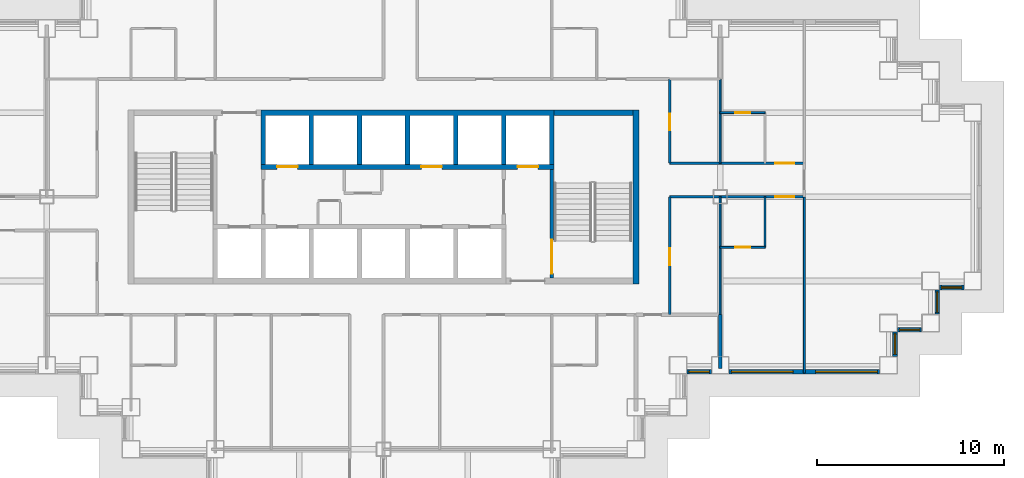
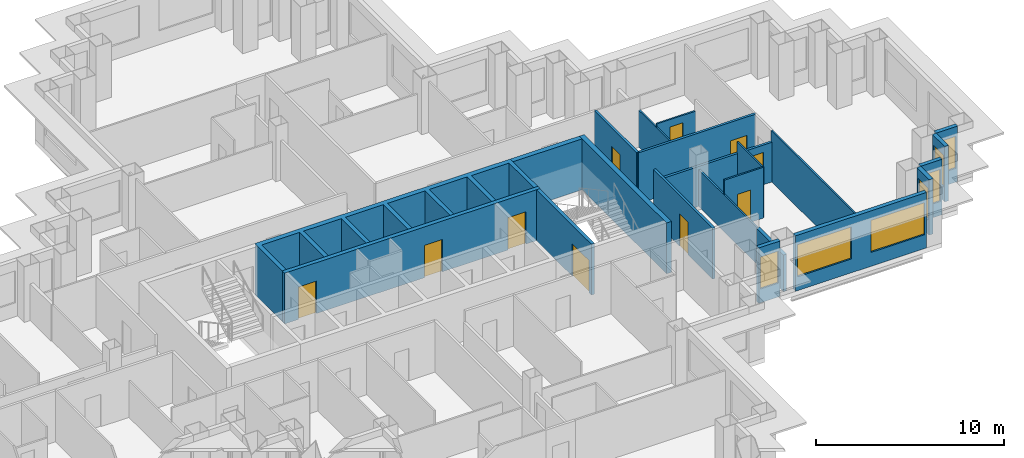
# One storey, part 6 of 14: 22 walls, 10 doors, 7 windows, 17 openings.
"""IFC4 building model written with IfcOpenShell, lengths in metres."""

import ifcopenshell
import ifcopenshell.guid

model = None  # the IFC model being written
_history = None  # IfcOwnerHistory: only IFC2X3 demands one
_inside = {}  # id of a spatial element -> (the spatial element, [elements in it])
_under = {}  # id of a project, library or spatial element -> (it, [spatial elements below it])
_declared = {}  # id of a project -> (the project, [libraries it declares])
_typed = {}  # id of a type object -> (the type object, [elements of that type])
_made_of = {}  # id of a material, layer set ... -> (it, [elements and type objects made of it])


def new_model(schema):
    """Start an empty IFC model of exactly this schema.

    Asked for "IFC4X3", IfcOpenShell would pick the latest addendum, in which some entities
    have other attributes; the version numbers below select the first issue.
    IFC2X3 requires an IfcOwnerHistory on every rooted entity: one is made here for all.
    """
    global model, _history
    if schema == "IFC4X3":
        model = ifcopenshell.file(schema_version=(4, 3, 0, 0))
    else:
        model = ifcopenshell.file(schema=schema)
    _inside.clear()
    _under.clear()
    _declared.clear()
    _typed.clear()
    _made_of.clear()
    _history = None
    if model.schema == "IFC2X3":
        org = make("IfcOrganization", Name="unknown")
        user = make(
            "IfcPersonAndOrganization",
            ThePerson=make("IfcPerson", FamilyName="unknown"),
            TheOrganization=org,
        )
        app = make(
            "IfcApplication",
            ApplicationDeveloper=org,
            Version="unknown",
            ApplicationFullName="unknown",
            ApplicationIdentifier="unknown",
        )
        _history = make(
            "IfcOwnerHistory",
            OwningUser=user,
            OwningApplication=app,
            ChangeAction="ADDED",
            CreationDate=0,
        )
    return model


def make(cls, **values):
    """One entity of the class cls with the attributes given. An attribute that is None is left unset."""
    return model.create_entity(
        cls, **{name: value for name, value in values.items() if value is not None}
    )


def rooted(cls, **values):
    """An entity with a GlobalId (a new one), such as an element, a storey or a relation."""
    return make(cls, GlobalId=ifcopenshell.guid.new(), OwnerHistory=_history, **values)


def si_unit(unit_type, name, prefix=None):
    """IfcSIUnit, for example si_unit("LENGTHUNIT", "METRE", prefix="MILLI")."""
    return make("IfcSIUnit", UnitType=unit_type, Prefix=prefix, Name=name)


def assignment(units):
    """IfcUnitAssignment: the units of a project."""
    return None if units is None else make("IfcUnitAssignment", Units=units)


def point(xyz):
    """IfcCartesianPoint."""
    return None if xyz is None else make("IfcCartesianPoint", Coordinates=xyz)


def direction(xyz):
    """IfcDirection."""
    return None if xyz is None else make("IfcDirection", DirectionRatios=xyz)


def frame(location, z_axis=None, x_axis=None):
    """IfcAxis2Placement3D, a coordinate frame: its origin and axes. An axis left out is left unset."""
    return make(
        "IfcAxis2Placement3D",
        Location=point(location),
        Axis=direction(z_axis),
        RefDirection=direction(x_axis),
    )


def frame_2d(location, x_axis=None):
    """IfcAxis2Placement2D, a coordinate frame in the plane: its origin and x axis."""
    return make(
        "IfcAxis2Placement2D", Location=point(location), RefDirection=direction(x_axis)
    )


def origin():
    """The frame at (0, 0, 0) with its axes left unset."""
    return frame((0.0, 0.0, 0.0))


def place(relative_to, where):
    """IfcLocalPlacement: puts the frame where relative to a parent placement (None: the world)."""
    return make(
        "IfcLocalPlacement", PlacementRelTo=relative_to, RelativePlacement=where
    )


def context(
    kind, dimensions, precision=None, world=None, true_north=None, identifier=None
):
    """IfcGeometricRepresentationContext, for example the 3D "Model" context."""
    return make(
        "IfcGeometricRepresentationContext",
        ContextIdentifier=identifier,
        ContextType=kind,
        CoordinateSpaceDimension=dimensions,
        Precision=precision,
        WorldCoordinateSystem=world,
        TrueNorth=true_north,
    )


def subcontext(parent, identifier, kind, view, scale=None):
    """IfcGeometricRepresentationSubContext, for example "Body" below "Model"."""
    return make(
        "IfcGeometricRepresentationSubContext",
        ContextIdentifier=identifier,
        ContextType=kind,
        ParentContext=parent,
        TargetScale=scale,
        TargetView=view,
    )


def project(units=None, contexts=None):
    """IfcProject with its units and contexts."""
    return rooted(
        "IfcProject",
        Name="project",
        RepresentationContexts=contexts,
        UnitsInContext=assignment(units),
    )


def spatial(cls, under=None, at=None, **own):
    """A site, building, storey or space (cls), placed at a placement, below another one or the project."""
    s = rooted(cls, ObjectPlacement=at, **own)
    if under is not None:
        _under.setdefault(under.id(), (under, []))[1].append(s)
    return s


def polyline(points):
    """IfcPolyline through the points."""
    return make("IfcPolyline", Points=[point(p) for p in points])


def profile(cls, at=None, kind="AREA", **sizes):
    """A parametric profile (cls). Its sizes go by their IFC names, for example OverallWidth=200.0."""
    return make(cls, ProfileType=kind, Position=at, **sizes)


def rectangle(**sizes):
    """IfcRectangleProfileDef."""
    return profile("IfcRectangleProfileDef", **sizes)


def outline(outer, holes=None, kind="AREA"):
    """IfcArbitraryClosedProfileDef: a profile drawn as a closed curve; with holes, ...WithVoids."""
    if holes is None:
        return make("IfcArbitraryClosedProfileDef", ProfileType=kind, OuterCurve=outer)
    return make(
        "IfcArbitraryProfileDefWithVoids",
        ProfileType=kind,
        OuterCurve=outer,
        InnerCurves=holes,
    )


def extrude(swept, where, along, depth):
    """IfcExtrudedAreaSolid: the profile swept, set in the frame where, extruded along a direction by depth."""
    return make(
        "IfcExtrudedAreaSolid",
        SweptArea=swept,
        Position=where,
        ExtrudedDirection=direction(along),
        Depth=depth,
    )


def shape(context_of_items, identifier, shape_type, items):
    """IfcShapeRepresentation: the items that make up one representation, for example the "Body"."""
    return make(
        "IfcShapeRepresentation",
        ContextOfItems=context_of_items,
        RepresentationIdentifier=identifier,
        RepresentationType=shape_type,
        Items=items,
    )


def material(Name=None, Category=None):
    """IfcMaterial."""
    return make("IfcMaterial", Name=Name, Category=Category)


def layer(
    of_material, thickness, ventilated=None, Name=None, Category=None, Priority=None
):
    """IfcMaterialLayer: one layer of a wall or slab, of a material (None: an air gap)."""
    return make(
        "IfcMaterialLayer",
        Material=of_material,
        LayerThickness=thickness,
        IsVentilated=ventilated,
        Name=Name,
        Category=Category,
        Priority=Priority,
    )


def layer_set(layers, Name=None):
    """IfcMaterialLayerSet."""
    return make("IfcMaterialLayerSet", MaterialLayers=layers, LayerSetName=Name)


def made_of(thing, what):
    """Note that an element or type object is made of a material, layer set ...; save() writes the relation."""
    if what is not None:
        _made_of.setdefault(what.id(), (what, []))[1].append(thing)
    return thing


def type_object(cls, material=None, **own):
    """A type object (cls), such as IfcWallType, which elements share."""
    return made_of(rooted(cls, **own), material)


def element(
    cls,
    number,
    at=None,
    inside=None,
    cuts=None,
    type_object=None,
    material=None,
    context=None,
    identifier="Body",
    shape_type=None,
    held_by="IfcProductDefinitionShape",
    body=None,
    shapes=None,
    **own,
):
    """One element of the class cls, such as IfcWall. Its Tag is "e" and its number.

    at: its placement. inside: the storey or other place that contains it. cuts: it is an
    opening in that element (IfcRelVoidsElement). A single representation is given by context,
    identifier, shape_type and body (its items); several are given by shapes. held_by: the class
    of the entity that holds the representations. save() writes the other relations.
    """
    e = rooted(cls, Tag="e%d" % number, ObjectPlacement=at, **own)
    if body is not None:
        shapes = [shape(context, identifier, shape_type, body)]
    if shapes is not None:
        e.Representation = make(held_by, Representations=shapes)
    if inside is not None:
        _inside.setdefault(inside.id(), (inside, []))[1].append(e)
    if cuts is not None:
        rooted(
            "IfcRelVoidsElement", RelatingBuildingElement=cuts, RelatedOpeningElement=e
        )
    if type_object is not None:
        _typed.setdefault(type_object.id(), (type_object, []))[1].append(e)
    return made_of(e, material)


def fill(opening, filler):
    """IfcRelFillsElement: the door or window that sits in an opening."""
    return rooted(
        "IfcRelFillsElement",
        RelatingOpeningElement=opening,
        RelatedBuildingElement=filler,
    )


def aggregate(whole, parts):
    """IfcRelAggregates: a whole, such as a stair, and the parts it consists of."""
    return rooted("IfcRelAggregates", RelatingObject=whole, RelatedObjects=parts)


def save(model, path):
    """Write the relations noted so far, then the file.

    IfcRelAggregates (storeys below a building ...), IfcRelContainedInSpatialStructure (elements
    in a storey), IfcRelDefinesByType, IfcRelAssociatesMaterial and IfcRelDeclares: one each for
    every whole, place, type object, material and project.
    """
    for whole, parts in _under.values():
        aggregate(whole, parts)
    for where, things in _inside.values():
        rooted(
            "IfcRelContainedInSpatialStructure",
            RelatedElements=things,
            RelatingStructure=where,
        )
    for kind, things in _typed.values():
        rooted("IfcRelDefinesByType", RelatedObjects=things, RelatingType=kind)
    for what, things in _made_of.values():
        rooted("IfcRelAssociatesMaterial", RelatedObjects=things, RelatingMaterial=what)
    for by, libraries in _declared.values():
        rooted("IfcRelDeclares", RelatingContext=by, RelatedDefinitions=libraries)
    model.write(path)


model = new_model("IFC4")

# Units and contexts
model_context = context("Model", 3, precision=1e-05, world=origin(), true_north=direction((0.0, 1.0)))
body_context = subcontext(model_context, "Body", "Model", "MODEL_VIEW")
ifc_project = project(units=[si_unit("LENGTHUNIT", "METRE"), si_unit("AREAUNIT", "SQUARE_METRE"), si_unit("VOLUMEUNIT", "CUBIC_METRE"), si_unit("PLANEANGLEUNIT", "RADIAN"), si_unit("MASSUNIT", "GRAM", prefix="KILO")], contexts=[model_context])

# Site, building, storey
site_placement = place(None, origin())
site = spatial("IfcSite", under=ifc_project, at=site_placement, CompositionType="ELEMENT")
building_placement = place(site_placement, origin())
building = spatial("IfcBuilding", under=site, at=building_placement, Name="Caravel Reach Hotel and Residences", CompositionType="ELEMENT")
storey_placement = place(building_placement, frame((0.0, 0.0, 88.800048828125)))
storey = spatial("IfcBuildingStorey", under=building, at=storey_placement, Name="L21", CompositionType="ELEMENT", Elevation=88.800048828125)

# Wall, opening, door
ifc_material_1 = material(Name="Gypsum board on steel stud", Category="steel")
ifc_layer_1 = layer(ifc_material_1, 0.10009765625)
ifc_layer_set_1 = layer_set([ifc_layer_1], Name="Bathroom pod wall 100 mm")
wall_type_1 = type_object("IfcWallType", Name="Bathroom pod wall 100 mm", PredefinedType="PARTITIONING", material=ifc_layer_set_1)
wall_1_placement = place(storey_placement, frame((49.5, 24.300048828125, 0.0), z_axis=(0.0, 0.0, 1.0), x_axis=(1.0, 0.0, 0.0)))
wall_1 = element("IfcWall", 1, at=wall_1_placement, inside=storey, type_object=wall_type_1, Name="L21 wall w076", PredefinedType="PARTITIONING", context=body_context, shape_type="SweptSolid", body=[
    extrude(rectangle(XDim=2.39990234375, YDim=0.10009765625, at=frame_2d((1.199951171875, 0.0))), origin(), (0.0, 0.0, 1.0), 3.300048828125),
])
opening_1_placement = place(wall_1_placement, frame((0.800048828125, 0.0, 0.0)))
opening_1 = element("IfcOpeningElement", 2, at=opening_1_placement, cuts=wall_1, Name="Opening D21-023", PredefinedType="OPENING", context=body_context, shape_type="SweptSolid", body=[
    extrude(rectangle(XDim=0.800048828125, YDim=2.10009765625, at=frame_2d((0.39990234375, 1.050048828125))), frame((0.0, 0.06005859375, 0.0), z_axis=(0.0, -1.0, 0.0), x_axis=(1.0, 0.0, 0.0)), (0.0, 0.0, 1.0), 0.1201171875),
])
ifc_material_2 = material(Name="Timber and steel door leaf", Category="steel")
door_type_1 = type_object("IfcDoorType", Name="Bathroom door 800 x 2100", OperationType="SINGLE_SWING_LEFT", PredefinedType="DOOR", material=ifc_material_2)
door_1_placement = place(opening_1_placement, origin())
door_1 = element("IfcDoor", 3, at=door_1_placement, inside=storey, type_object=door_type_1, Name="door D21-023", OperationType="SINGLE_SWING_LEFT", OverallHeight=2.10009765625, OverallWidth=0.800048828125, PredefinedType="DOOR", context=body_context, shape_type="SweptSolid", body=[
    extrude(rectangle(XDim=0.800048828125, YDim=2.10009765625, at=frame_2d((0.39990234375, 1.050048828125))), frame((0.0, 0.02490234375, 0.0), z_axis=(0.0, -1.0, 0.0), x_axis=(1.0, 0.0, 0.0)), (0.0, 0.0, 1.0), 0.050048828125),
])
fill(opening_1, door_1)

wall_2_placement = place(storey_placement, frame((49.5, 31.5, 0.0), z_axis=(0.0, 0.0, 1.0), x_axis=(1.0, 0.0, 0.0)))
wall_2 = element("IfcWall", 4, at=wall_2_placement, inside=storey, type_object=wall_type_1, Name="L21 wall w078", PredefinedType="PARTITIONING", context=body_context, shape_type="SweptSolid", body=[
    extrude(rectangle(XDim=2.39990234375, YDim=0.10009765625, at=frame_2d((1.199951171875, 0.0))), origin(), (0.0, 0.0, 1.0), 2.579833984375),
])
opening_2_placement = place(wall_2_placement, frame((0.800048828125, 0.0, 0.0)))
opening_2 = element("IfcOpeningElement", 5, at=opening_2_placement, cuts=wall_2, Name="Opening D21-025", PredefinedType="OPENING", context=body_context, shape_type="SweptSolid", body=[
    extrude(rectangle(XDim=0.800048828125, YDim=2.10009765625, at=frame_2d((0.39990234375, 1.050048828125))), frame((0.0, 0.06005859375, 0.0), z_axis=(0.0, -1.0, 0.0), x_axis=(1.0, 0.0, 0.0)), (0.0, 0.0, 1.0), 0.1201171875),
])
door_2_placement = place(opening_2_placement, origin())
door_2 = element("IfcDoor", 6, at=door_2_placement, inside=storey, type_object=door_type_1, Name="door D21-025", OperationType="SINGLE_SWING_RIGHT", OverallHeight=2.10009765625, OverallWidth=0.800048828125, PredefinedType="DOOR", context=body_context, shape_type="SweptSolid", body=[
    extrude(rectangle(XDim=0.800048828125, YDim=2.10009765625, at=frame_2d((0.39990234375, 1.050048828125))), frame((0.0, 0.02490234375, 0.0), z_axis=(0.0, -1.0, 0.0), x_axis=(1.0, 0.0, 0.0)), (0.0, 0.0, 1.0), 0.050048828125),
])
fill(opening_2, door_2)

# Walls
wall_3_placement = place(storey_placement, frame((51.89990234375, 24.300048828125, 0.0), z_axis=(0.0, 0.0, 1.0), x_axis=(0.0, 1.0, 0.0)))
element("IfcWall", 7, at=wall_3_placement, inside=storey, type_object=wall_type_1, Name="L21 wall w093", PredefinedType="PARTITIONING", context=body_context, shape_type="SweptSolid", body=[
    extrude(rectangle(XDim=2.699951171875, YDim=0.10009765625, at=frame_2d((1.35009765625, 0.0))), origin(), (0.0, 0.0, 1.0), 3.300048828125),
])
ifc_material_3 = material(Name="Autoclaved aerated block wall")
ifc_layer_2 = layer(ifc_material_3, 0.199951171875)
ifc_layer_set_2 = layer_set([ifc_layer_2], Name="Compartment wall 200 mm EI 120")
wall_type_2 = type_object("IfcWallType", Name="Compartment wall 200 mm EI 120", PredefinedType="PARTITIONING", material=ifc_layer_set_2)
wall_4_placement = place(storey_placement, frame((49.5, 17.81005859375, 0.0), z_axis=(0.0, 0.0, 1.0), x_axis=(0.0, 1.0, 0.0)))
element("IfcWall", 8, at=wall_4_placement, inside=storey, type_object=wall_type_2, Name="L21 wall w099", PredefinedType="PARTITIONING", context=body_context, shape_type="SweptSolid", body=[
    extrude(rectangle(XDim=2.889892578125, YDim=0.199951171875, at=frame_2d((1.44482421875, 0.0))), origin(), (0.0, 0.0, 1.0), 2.3798828125),
])
ifc_material_4 = material(Name="Concrete C60", Category="concrete")
ifc_layer_3 = layer(ifc_material_4, 0.300048828125)
ifc_layer_set_3 = layer_set([ifc_layer_3], Name="Core wall 300 mm EI 120")
wall_type_3 = type_object("IfcWallType", Name="Core wall 300 mm EI 120", PredefinedType="SHEAR", material=ifc_layer_set_3)
wall_5_placement = place(storey_placement, frame((40.625, 31.5, 0.0), z_axis=(0.0, 0.0, 1.0), x_axis=(1.0, 0.0, 0.0)))
element("IfcWall", 9, at=wall_5_placement, inside=storey, type_object=wall_type_3, Name="L21 core wall N2", PredefinedType="SHEAR", context=body_context, shape_type="SweptSolid", body=[
    extrude(rectangle(XDim=4.22509765625, YDim=0.300048828125, at=frame_2d((2.112548828125, 0.0))), origin(), (0.0, 0.0, 1.0), 3.300048828125),
])
wall_6_placement = place(storey_placement, frame((45.0, 22.35009765625, 0.0), z_axis=(0.0, 0.0, 1.0), x_axis=(0.0, 1.0, 0.0)))
element("IfcWall", 10, at=wall_6_placement, inside=storey, type_object=wall_type_3, Name="L21 core wall E", PredefinedType="SHEAR", context=body_context, shape_type="SweptSolid", body=[
    extrude(rectangle(XDim=9.2998046875, YDim=0.300048828125, at=frame_2d((4.64990234375, 0.0))), origin(), (0.0, 0.0, 1.0), 3.300048828125),
])

# Wall, opening, door
ifc_material_5 = material(Name="Gypsum board on steel stud, fire-rated", Category="steel")
ifc_layer_4 = layer(ifc_material_5, 0.14990234375)
ifc_layer_set_4 = layer_set([ifc_layer_4], Name="Corridor wall 150 mm EI 60")
wall_type_4 = type_object("IfcWallType", Name="Corridor wall 150 mm EI 60", PredefinedType="PARTITIONING", material=ifc_layer_set_4)
wall_7_placement = place(storey_placement, frame((46.800048828125, 27.0, 0.0), z_axis=(0.0, 0.0, 1.0), x_axis=(1.0, 0.0, 0.0)))
wall_7 = element("IfcWall", 11, at=wall_7_placement, inside=storey, type_object=wall_type_4, Name="L21 wall w012", PredefinedType="PARTITIONING", context=body_context, shape_type="SweptSolid", body=[
    extrude(rectangle(XDim=7.199951171875, YDim=0.14990234375, at=frame_2d((3.60009765625, 0.0))), origin(), (0.0, 0.0, 1.0), 2.579833984375),
])
opening_3_placement = place(wall_7_placement, frame((5.64990234375, 0.0, 0.0)))
opening_3 = element("IfcOpeningElement", 12, at=opening_3_placement, cuts=wall_7, Name="Opening D21-022", PredefinedType="OPENING", context=body_context, shape_type="SweptSolid", body=[
    extrude(rectangle(XDim=1.0, YDim=2.10009765625, at=frame_2d((0.5, 1.050048828125))), frame((0.0, 0.0849609375, 0.0), z_axis=(0.0, -1.0, 0.0), x_axis=(1.0, 0.0, 0.0)), (0.0, 0.0, 1.0), 0.169921875),
])
ifc_material_6 = material(Name="Steel fire door leaf", Category="steel")
door_type_2 = type_object("IfcDoorType", Name="Guest room door 1000 x 2100 EI 30", OperationType="SINGLE_SWING_LEFT", PredefinedType="DOOR", material=ifc_material_6)
door_3_placement = place(opening_3_placement, origin())
door_3 = element("IfcDoor", 13, at=door_3_placement, inside=storey, type_object=door_type_2, Name="door D21-022", OperationType="SINGLE_SWING_RIGHT", OverallHeight=2.10009765625, OverallWidth=1.0, PredefinedType="DOOR", context=body_context, shape_type="SweptSolid", body=[
    extrude(rectangle(XDim=1.0, YDim=2.10009765625, at=frame_2d((0.5, 1.050048828125))), frame((0.0, 0.02490234375, 0.0), z_axis=(0.0, -1.0, 0.0), x_axis=(1.0, 0.0, 0.0)), (0.0, 0.0, 1.0), 0.050048828125),
])
fill(opening_3, door_3)

wall_8_placement = place(storey_placement, frame((46.800048828125, 28.800048828125, 0.0), z_axis=(0.0, 0.0, 1.0), x_axis=(1.0, 0.0, 0.0)))
wall_8 = element("IfcWall", 14, at=wall_8_placement, inside=storey, type_object=wall_type_4, Name="L21 wall w017", PredefinedType="PARTITIONING", context=body_context, shape_type="SweptSolid", body=[
    extrude(rectangle(XDim=7.199951171875, YDim=0.14990234375, at=frame_2d((3.60009765625, 0.0))), origin(), (0.0, 0.0, 1.0), 3.300048828125),
])
opening_4_placement = place(wall_8_placement, frame((5.64990234375, 0.0, 0.0)))
opening_4 = element("IfcOpeningElement", 15, at=opening_4_placement, cuts=wall_8, Name="Opening D21-024", PredefinedType="OPENING", context=body_context, shape_type="SweptSolid", body=[
    extrude(rectangle(XDim=1.0, YDim=2.10009765625, at=frame_2d((0.5, 1.050048828125))), frame((0.0, 0.0849609375, 0.0), z_axis=(0.0, -1.0, 0.0), x_axis=(1.0, 0.0, 0.0)), (0.0, 0.0, 1.0), 0.169921875),
])
door_4_placement = place(opening_4_placement, origin())
door_4 = element("IfcDoor", 16, at=door_4_placement, inside=storey, type_object=door_type_2, Name="door D21-024", OperationType="SINGLE_SWING_RIGHT", OverallHeight=2.10009765625, OverallWidth=1.0, PredefinedType="DOOR", context=body_context, shape_type="SweptSolid", body=[
    extrude(rectangle(XDim=1.0, YDim=2.10009765625, at=frame_2d((0.5, 1.050048828125))), frame((0.0, 0.02490234375, 0.0), z_axis=(0.0, -1.0, 0.0), x_axis=(1.0, 0.0, 0.0)), (0.0, 0.0, 1.0), 0.050048828125),
])
fill(opening_4, door_4)

wall_9_placement = place(storey_placement, frame((46.800048828125, 28.800048828125, 0.0), z_axis=(0.0, 0.0, 1.0), x_axis=(0.0, 1.0, 0.0)))
wall_9 = element("IfcWall", 17, at=wall_9_placement, inside=storey, type_object=wall_type_4, Name="L21 wall w035", PredefinedType="PARTITIONING", context=body_context, shape_type="SweptSolid", body=[
    extrude(rectangle(XDim=4.5, YDim=0.14990234375, at=frame_2d((2.25, 0.0))), origin(), (0.0, 0.0, 1.0), 3.300048828125),
])
opening_5_placement = place(wall_9_placement, frame((1.75, 0.0, 0.0)))
opening_5 = element("IfcOpeningElement", 18, at=opening_5_placement, cuts=wall_9, Name="Opening D21-057", PredefinedType="OPENING", context=body_context, shape_type="SweptSolid", body=[
    extrude(rectangle(XDim=0.89990234375, YDim=2.10009765625, at=frame_2d((0.449951171875, 1.050048828125))), frame((0.0, 0.0849609375, 0.0), z_axis=(0.0, -1.0, 0.0), x_axis=(1.0, 0.0, 0.0)), (0.0, 0.0, 1.0), 0.169921875),
])
ifc_material_7 = material(Name="Timber and steel door leaf", Category="steel")
door_type_3 = type_object("IfcDoorType", Name="Door 900 x 2100 timber", OperationType="SINGLE_SWING_LEFT", PredefinedType="DOOR", material=ifc_material_7)
door_5_placement = place(opening_5_placement, origin())
door_5 = element("IfcDoor", 19, at=door_5_placement, inside=storey, type_object=door_type_3, Name="door D21-057", OperationType="SINGLE_SWING_RIGHT", OverallHeight=2.10009765625, OverallWidth=0.89990234375, PredefinedType="DOOR", context=body_context, shape_type="SweptSolid", body=[
    extrude(rectangle(XDim=0.89990234375, YDim=2.10009765625, at=frame_2d((0.449951171875, 1.050048828125))), frame((0.0, 0.02490234375, 0.0), z_axis=(0.0, -1.0, 0.0), x_axis=(1.0, 0.0, 0.0)), (0.0, 0.0, 1.0), 0.050048828125),
])
fill(opening_5, door_5)

wall_10_placement = place(storey_placement, frame((46.800048828125, 20.699951171875, 0.0), z_axis=(0.0, 0.0, 1.0), x_axis=(0.0, 1.0, 0.0)))
wall_10 = element("IfcWall", 20, at=wall_10_placement, inside=storey, type_object=wall_type_4, Name="L21 wall w036", PredefinedType="PARTITIONING", context=body_context, shape_type="SweptSolid", body=[
    extrude(rectangle(XDim=6.300048828125, YDim=0.14990234375, at=frame_2d((3.14990234375, 0.0))), origin(), (0.0, 0.0, 1.0), 3.300048828125),
])
opening_6_placement = place(wall_10_placement, frame((2.64990234375, 0.0, 0.0)))
opening_6 = element("IfcOpeningElement", 21, at=opening_6_placement, cuts=wall_10, Name="Opening D21-056", PredefinedType="OPENING", context=body_context, shape_type="SweptSolid", body=[
    extrude(rectangle(XDim=0.89990234375, YDim=2.10009765625, at=frame_2d((0.449951171875, 1.050048828125))), frame((0.0, 0.0849609375, 0.0), z_axis=(0.0, -1.0, 0.0), x_axis=(1.0, 0.0, 0.0)), (0.0, 0.0, 1.0), 0.169921875),
])
door_6_placement = place(opening_6_placement, origin())
door_6 = element("IfcDoor", 22, at=door_6_placement, inside=storey, type_object=door_type_3, Name="door D21-056", OperationType="SINGLE_SWING_LEFT", OverallHeight=2.10009765625, OverallWidth=0.89990234375, PredefinedType="DOOR", context=body_context, shape_type="SweptSolid", body=[
    extrude(rectangle(XDim=0.89990234375, YDim=2.10009765625, at=frame_2d((0.449951171875, 1.050048828125))), frame((0.0, 0.02490234375, 0.0), z_axis=(0.0, -1.0, 0.0), x_axis=(1.0, 0.0, 0.0)), (0.0, 0.0, 1.0), 0.050048828125),
])
fill(opening_6, door_6)

# Wall, opening, window
ifc_material_8 = material(Name="Insulated rainscreen wall, aluminium cladding", Category="aluminium")
ifc_layer_5 = layer(ifc_material_8, 0.25)
ifc_layer_set_5 = layer_set([ifc_layer_5], Name="EW1 Tower rainscreen wall")
wall_type_5 = type_object("IfcWallType", Name="EW1 Tower rainscreen wall", PredefinedType="SOLIDWALL", material=ifc_layer_set_5)
wall_11_placement = place(storey_placement, frame((47.72509765625, 17.64990234375, 0.0), z_axis=(0.0, 0.0, 1.0), x_axis=(1.0, 0.0, 0.0)))
wall_11 = element("IfcWall", 23, at=wall_11_placement, inside=storey, type_object=wall_type_5, Name="External wall L21 S15.1", PredefinedType="SOLIDWALL", context=body_context, shape_type="SweptSolid", body=[
    extrude(rectangle(XDim=1.2998046875, YDim=0.25, at=frame_2d((0.64990234375, 0.0))), origin(), (0.0, 0.0, 1.0), 3.599853515625),
])
opening_7_placement = place(wall_11_placement, frame((0.10009765625, 0.0, 0.89990234375)))
opening_7 = element("IfcOpeningElement", 24, at=opening_7_placement, cuts=wall_11, Name="Opening WN5", PredefinedType="OPENING", context=body_context, shape_type="SweptSolid", body=[
    extrude(rectangle(XDim=1.10009765625, YDim=2.080078125, at=frame_2d((0.550048828125, 1.0400390625))), frame((0.0, 0.135009765625, 0.0), z_axis=(0.0, -1.0, 0.0), x_axis=(1.0, 0.0, 0.0)), (0.0, 0.0, 1.0), 0.27001953125),
])
ifc_material_9 = material(Name="Dark low-e glazing in black aluminium frame", Category="aluminium")
window_type_1 = type_object("IfcWindowType", Name="Hotel suite corner window 1100 x 2080", PartitioningType="SINGLE_PANEL", PredefinedType="WINDOW", material=ifc_material_9)
window_1_placement = place(opening_7_placement, origin())
window_1 = element("IfcWindow", 25, at=window_1_placement, inside=storey, type_object=window_type_1, Name="Window L21 S15.1.1", OverallHeight=2.080078125, OverallWidth=1.10009765625, PartitioningType="SINGLE_PANEL", PredefinedType="WINDOW", context=body_context, shape_type="SweptSolid", body=[
    extrude(rectangle(XDim=1.10009765625, YDim=2.080078125, at=frame_2d((0.550048828125, 1.0400390625))), frame((0.0, 0.030029296875, 0.0), z_axis=(0.0, -1.0, 0.0), x_axis=(1.0, 0.0, 0.0)), (0.0, 0.0, 1.0), 0.06005859375),
])
fill(opening_7, window_1)

# Wall, openings, windows
wall_12_placement = place(storey_placement, frame((49.97509765625, 17.64990234375, 0.0), z_axis=(0.0, 0.0, 1.0), x_axis=(1.0, 0.0, 0.0)))
wall_12 = element("IfcWall", 26, at=wall_12_placement, inside=storey, type_object=wall_type_5, Name="External wall L21 S15.2", PredefinedType="SOLIDWALL", context=body_context, shape_type="SweptSolid", body=[
    extrude(rectangle(XDim=8.0498046875, YDim=0.25, at=frame_2d((4.02490234375, 0.0))), origin(), (0.0, 0.0, 1.0), 3.599853515625),
])
opening_8_placement = place(wall_12_placement, frame((0.125, 0.0, 0.89990234375)))
opening_8 = element("IfcOpeningElement", 27, at=opening_8_placement, cuts=wall_12, Name="Opening WN4", PredefinedType="OPENING", context=body_context, shape_type="SweptSolid", body=[
    extrude(rectangle(XDim=3.300048828125, YDim=2.080078125, at=frame_2d((1.64990234375, 1.0400390625))), frame((0.0, 0.135009765625, 0.0), z_axis=(0.0, -1.0, 0.0), x_axis=(1.0, 0.0, 0.0)), (0.0, 0.0, 1.0), 0.27001953125),
])
opening_9_placement = place(wall_12_placement, frame((4.625, 0.0, 0.89990234375)))
opening_9 = element("IfcOpeningElement", 28, at=opening_9_placement, cuts=wall_12, Name="Opening WN4", PredefinedType="OPENING", context=body_context, shape_type="SweptSolid", body=[
    extrude(rectangle(XDim=3.300048828125, YDim=2.080078125, at=frame_2d((1.64990234375, 1.0400390625))), frame((0.0, 0.135009765625, 0.0), z_axis=(0.0, -1.0, 0.0), x_axis=(1.0, 0.0, 0.0)), (0.0, 0.0, 1.0), 0.27001953125),
])
ifc_material_10 = material(Name="Dark low-e glazing in black aluminium frame", Category="aluminium")
window_type_2 = type_object("IfcWindowType", Name="Hotel guest room window 3300 x 2080", PartitioningType="SINGLE_PANEL", PredefinedType="WINDOW", material=ifc_material_10)
window_2_placement = place(opening_8_placement, origin())
window_2 = element("IfcWindow", 29, at=window_2_placement, inside=storey, type_object=window_type_2, Name="Window L21 S15.2.1", OverallHeight=2.080078125, OverallWidth=3.300048828125, PartitioningType="SINGLE_PANEL", PredefinedType="WINDOW", context=body_context, shape_type="SweptSolid", body=[
    extrude(rectangle(XDim=3.300048828125, YDim=2.080078125, at=frame_2d((1.64990234375, 1.0400390625))), frame((0.0, 0.030029296875, 0.0), z_axis=(0.0, -1.0, 0.0), x_axis=(1.0, 0.0, 0.0)), (0.0, 0.0, 1.0), 0.06005859375),
])
fill(opening_8, window_2)
window_3_placement = place(opening_9_placement, origin())
window_3 = element("IfcWindow", 30, at=window_3_placement, inside=storey, type_object=window_type_2, Name="Window L21 S15.2.2", OverallHeight=2.080078125, OverallWidth=3.300048828125, PartitioningType="SINGLE_PANEL", PredefinedType="WINDOW", context=body_context, shape_type="SweptSolid", body=[
    extrude(rectangle(XDim=3.300048828125, YDim=2.080078125, at=frame_2d((1.64990234375, 1.0400390625))), frame((0.0, 0.030029296875, 0.0), z_axis=(0.0, -1.0, 0.0), x_axis=(1.0, 0.0, 0.0)), (0.0, 0.0, 1.0), 0.06005859375),
])
fill(opening_9, window_3)

# Wall, opening, window
wall_13_placement = place(storey_placement, frame((58.85009765625, 18.47509765625, 0.0), z_axis=(0.0, 0.0, 1.0), x_axis=(0.0, 1.0, 0.0)))
wall_13 = element("IfcWall", 31, at=wall_13_placement, inside=storey, type_object=wall_type_5, Name="External wall L21 E16.1", PredefinedType="SOLIDWALL", context=body_context, shape_type="SweptSolid", body=[
    extrude(rectangle(XDim=1.2998046875, YDim=0.25, at=frame_2d((0.64990234375, 0.0))), origin(), (0.0, 0.0, 1.0), 3.599853515625),
])
opening_10_placement = place(wall_13_placement, frame((0.10009765625, 0.0, 0.89990234375)))
opening_10 = element("IfcOpeningElement", 32, at=opening_10_placement, cuts=wall_13, Name="Opening WN5", PredefinedType="OPENING", context=body_context, shape_type="SweptSolid", body=[
    extrude(rectangle(XDim=1.10009765625, YDim=2.080078125, at=frame_2d((0.550048828125, 1.0400390625))), frame((0.0, 0.135009765625, 0.0), z_axis=(0.0, -1.0, 0.0), x_axis=(1.0, 0.0, 0.0)), (0.0, 0.0, 1.0), 0.27001953125),
])
window_4_placement = place(opening_10_placement, origin())
window_4 = element("IfcWindow", 33, at=window_4_placement, inside=storey, type_object=window_type_1, Name="Window L21 E16.1.1", OverallHeight=2.080078125, OverallWidth=1.10009765625, PartitioningType="SINGLE_PANEL", PredefinedType="WINDOW", context=body_context, shape_type="SweptSolid", body=[
    extrude(rectangle(XDim=1.10009765625, YDim=2.080078125, at=frame_2d((0.550048828125, 1.0400390625))), frame((0.0, 0.030029296875, 0.0), z_axis=(0.0, -1.0, 0.0), x_axis=(1.0, 0.0, 0.0)), (0.0, 0.0, 1.0), 0.06005859375),
])
fill(opening_10, window_4)

wall_14_placement = place(storey_placement, frame((58.97509765625, 19.89990234375, 0.0), z_axis=(0.0, 0.0, 1.0), x_axis=(1.0, 0.0, 0.0)))
wall_14 = element("IfcWall", 34, at=wall_14_placement, inside=storey, type_object=wall_type_5, Name="External wall L21 S17.1", PredefinedType="SOLIDWALL", context=body_context, shape_type="SweptSolid", body=[
    extrude(rectangle(XDim=1.2998046875, YDim=0.25, at=frame_2d((0.64990234375, 0.0))), origin(), (0.0, 0.0, 1.0), 3.599853515625),
])
opening_11_placement = place(wall_14_placement, frame((0.10009765625, 0.0, 0.89990234375)))
opening_11 = element("IfcOpeningElement", 35, at=opening_11_placement, cuts=wall_14, Name="Opening WN5", PredefinedType="OPENING", context=body_context, shape_type="SweptSolid", body=[
    extrude(rectangle(XDim=1.10009765625, YDim=2.080078125, at=frame_2d((0.550048828125, 1.0400390625))), frame((0.0, 0.135009765625, 0.0), z_axis=(0.0, -1.0, 0.0), x_axis=(1.0, 0.0, 0.0)), (0.0, 0.0, 1.0), 0.27001953125),
])
window_5_placement = place(opening_11_placement, origin())
window_5 = element("IfcWindow", 36, at=window_5_placement, inside=storey, type_object=window_type_1, Name="Window L21 S17.1.1", OverallHeight=2.080078125, OverallWidth=1.10009765625, PartitioningType="SINGLE_PANEL", PredefinedType="WINDOW", context=body_context, shape_type="SweptSolid", body=[
    extrude(rectangle(XDim=1.10009765625, YDim=2.080078125, at=frame_2d((0.550048828125, 1.0400390625))), frame((0.0, 0.030029296875, 0.0), z_axis=(0.0, -1.0, 0.0), x_axis=(1.0, 0.0, 0.0)), (0.0, 0.0, 1.0), 0.06005859375),
])
fill(opening_11, window_5)

wall_15_placement = place(storey_placement, frame((61.10009765625, 20.72509765625, 0.0), z_axis=(0.0, 0.0, 1.0), x_axis=(0.0, 1.0, 0.0)))
wall_15 = element("IfcWall", 37, at=wall_15_placement, inside=storey, type_object=wall_type_5, Name="External wall L21 E18.1", PredefinedType="SOLIDWALL", context=body_context, shape_type="SweptSolid", body=[
    extrude(rectangle(XDim=1.2998046875, YDim=0.25, at=frame_2d((0.64990234375, 0.0))), origin(), (0.0, 0.0, 1.0), 3.599853515625),
])
opening_12_placement = place(wall_15_placement, frame((0.10009765625, 0.0, 0.89990234375)))
opening_12 = element("IfcOpeningElement", 38, at=opening_12_placement, cuts=wall_15, Name="Opening WN5", PredefinedType="OPENING", context=body_context, shape_type="SweptSolid", body=[
    extrude(rectangle(XDim=1.10009765625, YDim=2.080078125, at=frame_2d((0.550048828125, 1.0400390625))), frame((0.0, 0.135009765625, 0.0), z_axis=(0.0, -1.0, 0.0), x_axis=(1.0, 0.0, 0.0)), (0.0, 0.0, 1.0), 0.27001953125),
])
window_6_placement = place(opening_12_placement, origin())
window_6 = element("IfcWindow", 39, at=window_6_placement, inside=storey, type_object=window_type_1, Name="Window L21 E18.1.1", OverallHeight=2.080078125, OverallWidth=1.10009765625, PartitioningType="SINGLE_PANEL", PredefinedType="WINDOW", context=body_context, shape_type="SweptSolid", body=[
    extrude(rectangle(XDim=1.10009765625, YDim=2.080078125, at=frame_2d((0.550048828125, 1.0400390625))), frame((0.0, 0.030029296875, 0.0), z_axis=(0.0, -1.0, 0.0), x_axis=(1.0, 0.0, 0.0)), (0.0, 0.0, 1.0), 0.06005859375),
])
fill(opening_12, window_6)

wall_16_placement = place(storey_placement, frame((61.22509765625, 22.14990234375, 0.0), z_axis=(0.0, 0.0, 1.0), x_axis=(1.0, 0.0, 0.0)))
wall_16 = element("IfcWall", 40, at=wall_16_placement, inside=storey, type_object=wall_type_5, Name="External wall L21 S19.1", PredefinedType="SOLIDWALL", context=body_context, shape_type="SweptSolid", body=[
    extrude(rectangle(XDim=1.2998046875, YDim=0.25, at=frame_2d((0.64990234375, 0.0))), origin(), (0.0, 0.0, 1.0), 3.599853515625),
])
opening_13_placement = place(wall_16_placement, frame((0.10009765625, 0.0, 0.89990234375)))
opening_13 = element("IfcOpeningElement", 41, at=opening_13_placement, cuts=wall_16, Name="Opening WN5", PredefinedType="OPENING", context=body_context, shape_type="SweptSolid", body=[
    extrude(rectangle(XDim=1.10009765625, YDim=2.080078125, at=frame_2d((0.550048828125, 1.0400390625))), frame((0.0, 0.135009765625, 0.0), z_axis=(0.0, -1.0, 0.0), x_axis=(1.0, 0.0, 0.0)), (0.0, 0.0, 1.0), 0.27001953125),
])
window_7_placement = place(opening_13_placement, origin())
window_7 = element("IfcWindow", 42, at=window_7_placement, inside=storey, type_object=window_type_1, Name="Window L21 S19.1.1", OverallHeight=2.080078125, OverallWidth=1.10009765625, PartitioningType="SINGLE_PANEL", PredefinedType="WINDOW", context=body_context, shape_type="SweptSolid", body=[
    extrude(rectangle(XDim=1.10009765625, YDim=2.080078125, at=frame_2d((0.550048828125, 1.0400390625))), frame((0.0, 0.030029296875, 0.0), z_axis=(0.0, -1.0, 0.0), x_axis=(1.0, 0.0, 0.0)), (0.0, 0.0, 1.0), 0.06005859375),
])
fill(opening_13, window_7)

# Walls
ifc_material_11 = material(Name="Gypsum board on steel stud", Category="steel")
ifc_layer_6 = layer(ifc_material_11, 0.10009765625)
ifc_layer_set_6 = layer_set([ifc_layer_6], Name="Partition 100 mm")
wall_type_6 = type_object("IfcWallType", Name="Partition 100 mm", PredefinedType="PARTITIONING", material=ifc_layer_set_6)
wall_17_placement = place(storey_placement, frame((49.5, 28.800048828125, 0.0), z_axis=(0.0, 0.0, 1.0), x_axis=(0.0, 1.0, 0.0)))
element("IfcWall", 43, at=wall_17_placement, inside=storey, type_object=wall_type_6, Name="L21 wall w063", PredefinedType="PARTITIONING", context=body_context, shape_type="SweptSolid", body=[
    extrude(rectangle(XDim=4.5, YDim=0.10009765625, at=frame_2d((2.25, 0.0))), origin(), (0.0, 0.0, 1.0), 2.3798828125),
])
wall_18_placement = place(storey_placement, frame((49.5, 20.699951171875, 0.0), z_axis=(0.0, 0.0, 1.0), x_axis=(0.0, 1.0, 0.0)))
element("IfcWall", 44, at=wall_18_placement, inside=storey, type_object=wall_type_6, Name="L21 wall w064", PredefinedType="PARTITIONING", context=body_context, shape_type="SweptSolid", body=[
    extrude(rectangle(XDim=6.300048828125, YDim=0.10009765625, at=frame_2d((3.14990234375, 0.0))), origin(), (0.0, 0.0, 1.0), 2.3798828125),
])
wall_19_placement = place(storey_placement, frame((54.0, 17.5849609375, 0.0), z_axis=(0.0, 0.0, 1.0), x_axis=(0.0, 1.0, 0.0)))
element("IfcWall", 45, at=wall_19_placement, inside=storey, type_object=wall_type_6, Name="L21 wall w066", PredefinedType="PARTITIONING", context=body_context, shape_type="SweptSolid", body=[
    extrude(rectangle(XDim=9.4150390625, YDim=0.10009765625, at=frame_2d((4.70751953125, 0.0))), origin(), (0.0, 0.0, 1.0), 3.300048828125),
])
ifc_material_12 = material(Name="Concrete C60", Category="concrete")
ifc_layer_7 = layer(ifc_material_12, 0.25)
ifc_layer_set_7 = layer_set([ifc_layer_7], Name="Shaft wall 250 mm EI 120")
wall_type_7 = type_object("IfcWallType", Name="Shaft wall 250 mm EI 120", PredefinedType="SHEAR", material=ifc_layer_set_7)
wall_20_placement = place(storey_placement, origin())
element("IfcWall", 46, at=wall_20_placement, inside=storey, type_object=wall_type_7, Name="L21 lift shaft wall N1", PredefinedType="SHEAR", context=body_context, shape_type="SweptSolid", body=[
    extrude(outline(polyline([(24.946533203125, 28.72509765625), (25.196533203125, 28.72509765625), (25.196533203125, 31.35009765625), (27.517822265625, 31.35009765625), (27.517822265625, 28.72509765625), (27.767822265625, 28.72509765625), (27.767822265625, 31.35009765625), (30.08935546875, 31.35009765625), (30.08935546875, 28.72509765625), (30.33935546875, 28.72509765625), (30.33935546875, 31.35009765625), (32.66064453125, 31.35009765625), (32.66064453125, 28.72509765625), (32.91064453125, 28.72509765625), (32.91064453125, 31.35009765625), (35.232177734375, 31.35009765625), (35.232177734375, 28.72509765625), (35.482177734375, 28.72509765625), (35.482177734375, 31.35009765625), (37.803466796875, 31.35009765625), (37.803466796875, 28.72509765625), (38.053466796875, 28.72509765625), (38.053466796875, 31.35009765625), (40.375, 31.35009765625), (40.375, 28.72509765625), (40.625, 28.72509765625), (40.625, 31.64990234375), (24.946533203125, 31.64990234375), (24.946533203125, 28.72509765625)])), origin(), (0.0, 0.0, 1.0), 3.300048828125),
])

# Wall, openings, doors
wall_21_placement = place(storey_placement, frame((24.946533203125, 28.60009765625, 0.0), z_axis=(0.0, 0.0, 1.0), x_axis=(1.0, 0.0, 0.0)))
wall_21 = element("IfcWall", 47, at=wall_21_placement, inside=storey, type_object=wall_type_7, Name="L21 lobby wall N1", PredefinedType="SHEAR", context=body_context, shape_type="SweptSolid", body=[
    extrude(rectangle(XDim=15.678466796875, YDim=0.25, at=frame_2d((7.83935546875, 0.0))), origin(), (0.0, 0.0, 1.0), 3.300048828125),
])
opening_14_placement = place(wall_21_placement, frame((0.860595703125, 0.0, 0.0)))
opening_14 = element("IfcOpeningElement", 48, at=opening_14_placement, cuts=wall_21, Name="Opening D21-004", PredefinedType="OPENING", context=body_context, shape_type="SweptSolid", body=[
    extrude(rectangle(XDim=1.10009765625, YDim=2.10009765625, at=frame_2d((0.550048828125, 1.050048828125))), frame((0.0, 0.135009765625, 0.0), z_axis=(0.0, -1.0, 0.0), x_axis=(1.0, 0.0, 0.0)), (0.0, 0.0, 1.0), 0.27001953125),
])
opening_15_placement = place(wall_21_placement, frame((8.574951171875, 0.0, 0.0)))
opening_15 = element("IfcOpeningElement", 49, at=opening_15_placement, cuts=wall_21, Name="Opening D21-005", PredefinedType="OPENING", context=body_context, shape_type="SweptSolid", body=[
    extrude(rectangle(XDim=1.10009765625, YDim=2.10009765625, at=frame_2d((0.550048828125, 1.050048828125))), frame((0.0, 0.135009765625, 0.0), z_axis=(0.0, -1.0, 0.0), x_axis=(1.0, 0.0, 0.0)), (0.0, 0.0, 1.0), 0.27001953125),
])
opening_16_placement = place(wall_21_placement, frame((13.718017578125, 0.0, 0.0)))
opening_16 = element("IfcOpeningElement", 50, at=opening_16_placement, cuts=wall_21, Name="Opening D21-007", PredefinedType="OPENING", context=body_context, shape_type="SweptSolid", body=[
    extrude(rectangle(XDim=1.10009765625, YDim=2.10009765625, at=frame_2d((0.550048828125, 1.050048828125))), frame((0.0, 0.135009765625, 0.0), z_axis=(0.0, -1.0, 0.0), x_axis=(1.0, 0.0, 0.0)), (0.0, 0.0, 1.0), 0.27001953125),
])
ifc_material_13 = material(Name="Stainless steel landing door", Category="steel")
door_type_4 = type_object("IfcDoorType", Name="Landing door LD 1100 x 2100 sliding", OperationType="DOUBLE_DOOR_SLIDING", PredefinedType="DOOR", material=ifc_material_13)
door_7_placement = place(opening_14_placement, origin())
door_7 = element("IfcDoor", 51, at=door_7_placement, inside=storey, type_object=door_type_4, Name="LP4 landing door", OperationType="DOUBLE_DOOR_SLIDING", OverallHeight=2.10009765625, OverallWidth=1.10009765625, PredefinedType="DOOR", context=body_context, shape_type="SweptSolid", body=[
    extrude(rectangle(XDim=1.10009765625, YDim=2.10009765625, at=frame_2d((0.550048828125, 1.050048828125))), frame((0.0, 0.02490234375, 0.0), z_axis=(0.0, -1.0, 0.0), x_axis=(1.0, 0.0, 0.0)), (0.0, 0.0, 1.0), 0.050048828125),
])
fill(opening_14, door_7)
door_8_placement = place(opening_15_placement, origin())
door_8 = element("IfcDoor", 52, at=door_8_placement, inside=storey, type_object=door_type_4, Name="LP5 landing door", OperationType="DOUBLE_DOOR_SLIDING", OverallHeight=2.10009765625, OverallWidth=1.10009765625, PredefinedType="DOOR", context=body_context, shape_type="SweptSolid", body=[
    extrude(rectangle(XDim=1.10009765625, YDim=2.10009765625, at=frame_2d((0.550048828125, 1.050048828125))), frame((0.0, 0.02490234375, 0.0), z_axis=(0.0, -1.0, 0.0), x_axis=(1.0, 0.0, 0.0)), (0.0, 0.0, 1.0), 0.050048828125),
])
fill(opening_15, door_8)
door_9_placement = place(opening_16_placement, origin())
door_9 = element("IfcDoor", 53, at=door_9_placement, inside=storey, type_object=door_type_4, Name="FL2 landing door", OperationType="DOUBLE_DOOR_SLIDING", OverallHeight=2.10009765625, OverallWidth=1.10009765625, PredefinedType="DOOR", context=body_context, shape_type="SweptSolid", body=[
    extrude(rectangle(XDim=1.10009765625, YDim=2.10009765625, at=frame_2d((0.550048828125, 1.050048828125))), frame((0.0, 0.02490234375, 0.0), z_axis=(0.0, -1.0, 0.0), x_axis=(1.0, 0.0, 0.0)), (0.0, 0.0, 1.0), 0.050048828125),
])
fill(opening_16, door_9)

# Wall, opening, door
ifc_material_14 = material(Name="Concrete C60", Category="concrete")
ifc_layer_8 = layer(ifc_material_14, 0.199951171875)
ifc_layer_set_8 = layer_set([ifc_layer_8], Name="Stair enclosure wall 200 mm EI 120")
wall_type_8 = type_object("IfcWallType", Name="Stair enclosure wall 200 mm EI 120", PredefinedType="SHEAR", material=ifc_layer_set_8)
wall_22_placement = place(storey_placement, frame((40.5, 22.64990234375, 0.0), z_axis=(0.0, 0.0, 1.0), x_axis=(0.0, 1.0, 0.0)))
wall_22 = element("IfcWall", 54, at=wall_22_placement, inside=storey, type_object=wall_type_8, Name="L21 stair B wall", PredefinedType="SHEAR", context=body_context, shape_type="SweptSolid", body=[
    extrude(rectangle(XDim=5.8251953125, YDim=0.199951171875, at=frame_2d((2.91259765625, 0.0))), origin(), (0.0, 0.0, 1.0), 3.300048828125),
])
opening_17_placement = place(wall_22_placement, frame((0.25, 0.0, 0.0)))
opening_17 = element("IfcOpeningElement", 55, at=opening_17_placement, cuts=wall_22, Name="Opening D21-011", PredefinedType="OPENING", context=body_context, shape_type="SweptSolid", body=[
    extrude(rectangle(XDim=1.800048828125, YDim=2.10009765625, at=frame_2d((0.89990234375, 1.050048828125))), frame((0.0, 0.10986328125, 0.0), z_axis=(0.0, -1.0, 0.0), x_axis=(1.0, 0.0, 0.0)), (0.0, 0.0, 1.0), 0.219970703125),
])
ifc_material_15 = material(Name="Steel fire door leaf", Category="steel")
door_type_5 = type_object("IfcDoorType", Name="Stair door pair 1800 x 2100 EI 90", OperationType="DOUBLE_DOOR_SINGLE_SWING", PredefinedType="DOOR", material=ifc_material_15)
door_10_placement = place(opening_17_placement, origin())
door_10 = element("IfcDoor", 56, at=door_10_placement, inside=storey, type_object=door_type_5, Name="stair B door pair", OperationType="DOUBLE_DOOR_SINGLE_SWING", OverallHeight=2.10009765625, OverallWidth=1.800048828125, PredefinedType="DOOR", context=body_context, shape_type="SweptSolid", body=[
    extrude(rectangle(XDim=1.800048828125, YDim=2.10009765625, at=frame_2d((0.89990234375, 1.050048828125))), frame((0.0, 0.02490234375, 0.0), z_axis=(0.0, -1.0, 0.0), x_axis=(1.0, 0.0, 0.0)), (0.0, 0.0, 1.0), 0.050048828125),
])
fill(opening_17, door_10)

save(model, "model.ifc")
